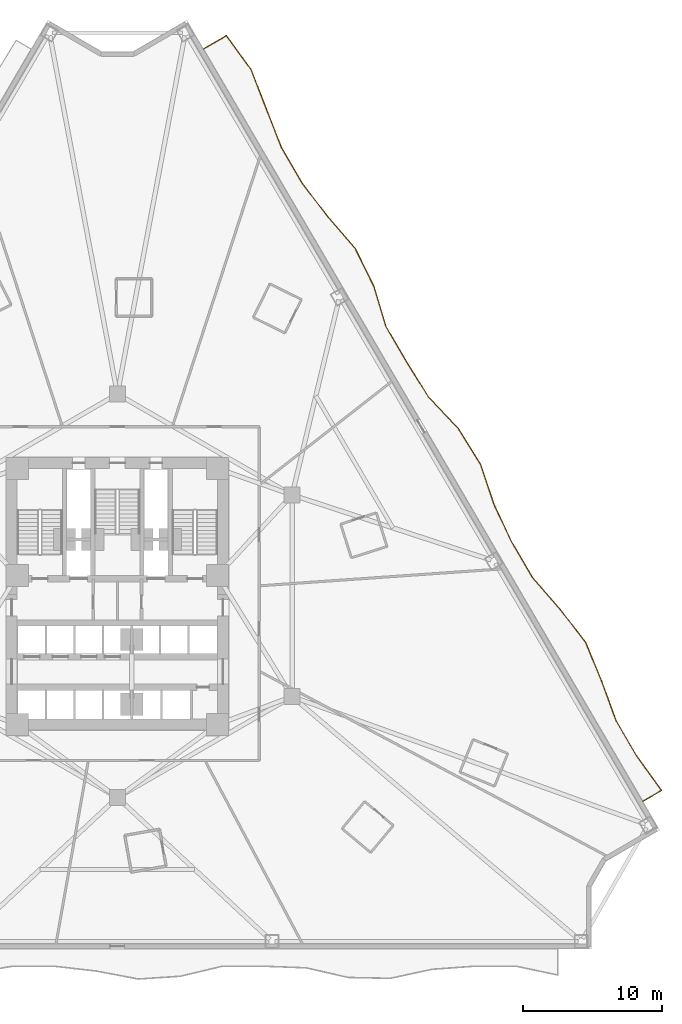
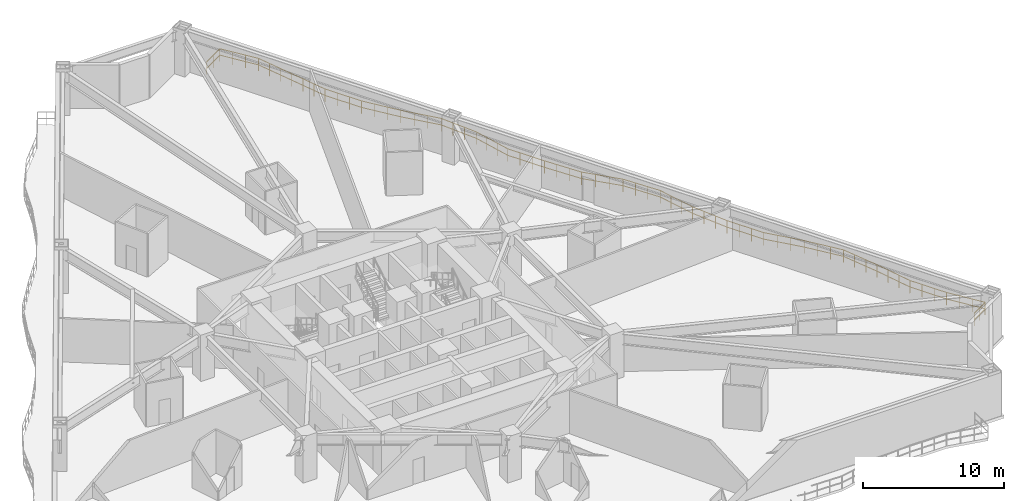
# One storey, part 12 of 12: 1 railing.
"""IFC4 building model written with IfcOpenShell, lengths in metres."""

from ifc_helpers import new_model, si_unit, direction, frame, origin, origin_2d, place, context, subcontext, project, spatial, rectangle, extrude, material, type_object, element, save


model = new_model("IFC4")

# Units and contexts
model_context = context("Model", 3, precision=1e-05, world=origin(), true_north=direction((0.0, 1.0)))
body_context = subcontext(model_context, "Body", "Model", "MODEL_VIEW")
ifc_project = project(units=[si_unit("LENGTHUNIT", "METRE"), si_unit("AREAUNIT", "SQUARE_METRE"), si_unit("VOLUMEUNIT", "CUBIC_METRE"), si_unit("PLANEANGLEUNIT", "RADIAN"), si_unit("MASSUNIT", "GRAM", prefix="KILO")], contexts=[model_context])

# Site, building, storey
site_placement = place(None, origin())
site = spatial("IfcSite", under=ifc_project, at=site_placement, CompositionType="ELEMENT")
building_placement = place(site_placement, origin())
building = spatial("IfcBuilding", under=site, at=building_placement, Name="Apsidion Concourse Tower", CompositionType="ELEMENT")
storey_placement = place(building_placement, frame((0.0, 0.0, 34.39990234375)))
storey = spatial("IfcBuildingStorey", under=building, at=storey_placement, Name="L06", CompositionType="ELEMENT", Elevation=34.39990234375)

# Railing
ifc_material = material(Name="Brushed stainless steel 316", Category="steel")
railing_type = type_object("IfcRailingType", Name="RL-BAL-1120", PredefinedType="BALUSTRADE", material=ifc_material)
railing_placement = place(storey_placement, frame((6.204833984375, 39.32275390625, 0.0)))
element("IfcRailing", 1, at=railing_placement, inside=storey, type_object=railing_type, Name="L06 Face 3 Rippling Balcony Balustrade", PredefinedType="BALUSTRADE", context=body_context, shape_type="SweptSolid", body=[
    extrude(rectangle(XDim=0.048095703125, YDim=0.048095703125, at=origin_2d()), frame((0.0, 0.0, 1.09619140625), z_axis=(0.863571651835, 0.504226141871, 0.0), x_axis=(-0.504226141871, 0.863571651835, 0.0)), (0.0, 0.0, 1.0), 1.880615234375),
    extrude(rectangle(XDim=0.048095703125, YDim=0.048095703125, at=origin_2d()), frame((0.0, 0.0, 0.5361328125), z_axis=(0.863571651835, 0.504226141871, 0.0), x_axis=(-0.504226141871, 0.863571651835, 0.0)), (0.0, 0.0, 1.0), 1.880615234375),
    extrude(rectangle(XDim=0.048095703125, YDim=0.048095703125, at=origin_2d()), frame((1.6240234375, 0.9482421875, 1.09619140625), z_axis=(0.591737638085, -0.806130614525, 0.0), x_axis=(0.806130614525, 0.591737638085, 0.0)), (0.0, 0.0, 1.0), 2.99951171875),
    extrude(rectangle(XDim=0.048095703125, YDim=0.048095703125, at=origin_2d()), frame((1.6240234375, 0.9482421875, 0.5361328125), z_axis=(0.591737638085, -0.806130614525, 0.0), x_axis=(0.806130614525, 0.591737638085, 0.0)), (0.0, 0.0, 1.0), 2.99951171875),
    extrude(rectangle(XDim=0.048095703125, YDim=0.048095703125, at=origin_2d()), frame((3.39892578125, -1.4697265625, 1.09619140625), z_axis=(0.362481370529, -0.931991017134, 0.0), x_axis=(0.931991017134, 0.362481370529, 0.0)), (0.0, 0.0, 1.0), 3.02001953125),
    extrude(rectangle(XDim=0.048095703125, YDim=0.048095703125, at=origin_2d()), frame((3.39892578125, -1.4697265625, 0.5361328125), z_axis=(0.362481370529, -0.931991017134, 0.0), x_axis=(0.931991017134, 0.362481370529, 0.0)), (0.0, 0.0, 1.0), 3.02001953125),
    extrude(rectangle(XDim=0.048095703125, YDim=0.048095703125, at=origin_2d()), frame((4.49365234375, -4.284423828125, 1.09619140625), z_axis=(0.36355788655, -0.931571609232, 0.0), x_axis=(0.931571609232, 0.36355788655, 0.0)), (0.0, 0.0, 1.0), 3.019775390625),
    extrude(rectangle(XDim=0.048095703125, YDim=0.048095703125, at=origin_2d()), frame((4.49365234375, -4.284423828125, 0.5361328125), z_axis=(0.36355788655, -0.931571609232, 0.0), x_axis=(0.931571609232, 0.36355788655, 0.0)), (0.0, 0.0, 1.0), 3.019775390625),
    extrude(rectangle(XDim=0.048095703125, YDim=0.048095703125, at=origin_2d()), frame((5.591552734375, -7.09765625, 1.09619140625), z_axis=(0.504191602526, -0.863591817899, 0.0), x_axis=(0.863591817899, 0.504191602526, 0.0)), (0.0, 0.0, 1.0), 2.98291015625),
    extrude(rectangle(XDim=0.048095703125, YDim=0.048095703125, at=origin_2d()), frame((5.591552734375, -7.09765625, 0.5361328125), z_axis=(0.504191602526, -0.863591817899, 0.0), x_axis=(0.863591817899, 0.504191602526, 0.0)), (0.0, 0.0, 1.0), 2.98291015625),
    extrude(rectangle(XDim=0.048095703125, YDim=0.048095703125, at=origin_2d()), frame((7.095458984375, -9.673583984375, 1.09619140625), z_axis=(0.606581462769, -0.795021338723, 0.0), x_axis=(0.795021338723, 0.606581462769, 0.0)), (0.0, 0.0, 1.0), 3.005859375),
    extrude(rectangle(XDim=0.048095703125, YDim=0.048095703125, at=origin_2d()), frame((7.095458984375, -9.673583984375, 0.5361328125), z_axis=(0.606581462769, -0.795021338723, 0.0), x_axis=(0.795021338723, 0.606581462769, 0.0)), (0.0, 0.0, 1.0), 3.005859375),
    extrude(rectangle(XDim=0.048095703125, YDim=0.048095703125, at=origin_2d()), frame((8.918701171875, -12.063232421875, 1.09619140625), z_axis=(0.65316088174, -0.757219164156, 0.0), x_axis=(0.757219164156, 0.65316088174, 0.0)), (0.0, 0.0, 1.0), 3.03369140625),
    extrude(rectangle(XDim=0.048095703125, YDim=0.048095703125, at=origin_2d()), frame((8.918701171875, -12.063232421875, 0.5361328125), z_axis=(0.65316088174, -0.757219164156, 0.0), x_axis=(0.757219164156, 0.65316088174, 0.0)), (0.0, 0.0, 1.0), 3.03369140625),
    extrude(rectangle(XDim=0.048095703125, YDim=0.048095703125, at=origin_2d()), frame((10.900146484375, -14.3603515625, 1.09619140625), z_axis=(0.442930222595, -0.896556087432, 0.0), x_axis=(0.896556087432, 0.442930222595, 0.0)), (0.0, 0.0, 1.0), 2.990234375),
    extrude(rectangle(XDim=0.048095703125, YDim=0.048095703125, at=origin_2d()), frame((10.900146484375, -14.3603515625, 0.5361328125), z_axis=(0.442930222595, -0.896556087432, 0.0), x_axis=(0.896556087432, 0.442930222595, 0.0)), (0.0, 0.0, 1.0), 2.990234375),
    extrude(rectangle(XDim=0.048095703125, YDim=0.048095703125, at=origin_2d()), frame((12.224609375, -17.041259765625, 1.09619140625), z_axis=(0.289165619967, -0.957279083773, 0.0), x_axis=(0.957279083773, 0.289165619967, 0.0)), (0.0, 0.0, 1.0), 3.0673828125),
    extrude(rectangle(XDim=0.048095703125, YDim=0.048095703125, at=origin_2d()), frame((12.224609375, -17.041259765625, 0.5361328125), z_axis=(0.289165619967, -0.957279083773, 0.0), x_axis=(0.957279083773, 0.289165619967, 0.0)), (0.0, 0.0, 1.0), 3.0673828125),
    extrude(rectangle(XDim=0.048095703125, YDim=0.048095703125, at=origin_2d()), frame((13.111572265625, -19.9775390625, 1.09619140625), z_axis=(0.504252641195, -0.863556178745, 0.0), x_axis=(0.863556178745, 0.504252641195, 0.0)), (0.0, 0.0, 1.0), 2.98291015625),
    extrude(rectangle(XDim=0.048095703125, YDim=0.048095703125, at=origin_2d()), frame((13.111572265625, -19.9775390625, 0.5361328125), z_axis=(0.504252641195, -0.863556178745, 0.0), x_axis=(0.863556178745, 0.504252641195, 0.0)), (0.0, 0.0, 1.0), 2.98291015625),
    extrude(rectangle(XDim=0.048095703125, YDim=0.048095703125, at=origin_2d()), frame((14.61572265625, -22.553466796875, 1.09619140625), z_axis=(0.531784505212, -0.846879708115, 0.0), x_axis=(0.846879708115, 0.531784505212, 0.0)), (0.0, 0.0, 1.0), 2.984619140625),
    extrude(rectangle(XDim=0.048095703125, YDim=0.048095703125, at=origin_2d()), frame((14.61572265625, -22.553466796875, 0.5361328125), z_axis=(0.531784505212, -0.846879708115, 0.0), x_axis=(0.846879708115, 0.531784505212, 0.0)), (0.0, 0.0, 1.0), 2.984619140625),
    extrude(rectangle(XDim=0.048095703125, YDim=0.048095703125, at=origin_2d()), frame((16.202880859375, -25.0810546875, 1.09619140625), z_axis=(0.686607145227, -0.727028629508, 0.0), x_axis=(0.727028629508, 0.686607145227, 0.0)), (0.0, 0.0, 1.0), 3.062255859375),
    extrude(rectangle(XDim=0.048095703125, YDim=0.048095703125, at=origin_2d()), frame((16.202880859375, -25.0810546875, 0.5361328125), z_axis=(0.686607145227, -0.727028629508, 0.0), x_axis=(0.727028629508, 0.686607145227, 0.0)), (0.0, 0.0, 1.0), 3.062255859375),
    extrude(rectangle(XDim=0.048095703125, YDim=0.048095703125, at=origin_2d()), frame((18.305419921875, -27.307373046875, 1.09619140625), z_axis=(0.531417409023, -0.847110109364, 0.0), x_axis=(0.847110109364, 0.531417409023, 0.0)), (0.0, 0.0, 1.0), 2.984375),
    extrude(rectangle(XDim=0.048095703125, YDim=0.048095703125, at=origin_2d()), frame((18.305419921875, -27.307373046875, 0.5361328125), z_axis=(0.531417409023, -0.847110109364, 0.0), x_axis=(0.847110109364, 0.531417409023, 0.0)), (0.0, 0.0, 1.0), 2.984375),
    extrude(rectangle(XDim=0.048095703125, YDim=0.048095703125, at=origin_2d()), frame((19.891357421875, -29.83544921875, 1.09619140625), z_axis=(0.318150443755, -0.948040239198, 0.0), x_axis=(0.948040239198, 0.318150443755, 0.0)), (0.0, 0.0, 1.0), 3.04638671875),
    extrude(rectangle(XDim=0.048095703125, YDim=0.048095703125, at=origin_2d()), frame((19.891357421875, -29.83544921875, 0.5361328125), z_axis=(0.318150443755, -0.948040239198, 0.0), x_axis=(0.948040239198, 0.318150443755, 0.0)), (0.0, 0.0, 1.0), 3.04638671875),
    extrude(rectangle(XDim=0.048095703125, YDim=0.048095703125, at=origin_2d()), frame((20.860595703125, -32.7236328125, 1.09619140625), z_axis=(0.425793110303, -0.904820549733, 0.0), x_axis=(0.904820549733, 0.425793110303, 0.0)), (0.0, 0.0, 1.0), 2.994873046875),
    extrude(rectangle(XDim=0.048095703125, YDim=0.048095703125, at=origin_2d()), frame((20.860595703125, -32.7236328125, 0.5361328125), z_axis=(0.425793110303, -0.904820549733, 0.0), x_axis=(0.904820549733, 0.425793110303, 0.0)), (0.0, 0.0, 1.0), 2.994873046875),
    extrude(rectangle(XDim=0.048095703125, YDim=0.048095703125, at=origin_2d()), frame((22.1357421875, -35.433349609375, 1.09619140625), z_axis=(0.504155966148, -0.863612622532, 0.0), x_axis=(0.863612622532, 0.504155966148, 0.0)), (0.0, 0.0, 1.0), 2.98291015625),
    extrude(rectangle(XDim=0.048095703125, YDim=0.048095703125, at=origin_2d()), frame((22.1357421875, -35.433349609375, 0.5361328125), z_axis=(0.504155966148, -0.863612622532, 0.0), x_axis=(0.863612622532, 0.504155966148, 0.0)), (0.0, 0.0, 1.0), 2.98291015625),
    extrude(rectangle(XDim=0.048095703125, YDim=0.048095703125, at=origin_2d()), frame((23.6396484375, -38.009521484375, 1.09619140625), z_axis=(0.657091861977, -0.753810509959, 0.0), x_axis=(0.753810509959, 0.657091861977, 0.0)), (0.0, 0.0, 1.0), 3.03662109375),
    extrude(rectangle(XDim=0.048095703125, YDim=0.048095703125, at=origin_2d()), frame((23.6396484375, -38.009521484375, 0.5361328125), z_axis=(0.657091861977, -0.753810509959, 0.0), x_axis=(0.753810509959, 0.657091861977, 0.0)), (0.0, 0.0, 1.0), 3.03662109375),
    extrude(rectangle(XDim=0.048095703125, YDim=0.048095703125, at=origin_2d()), frame((25.635009765625, -40.298583984375, 1.09619140625), z_axis=(0.609569499841, -0.792732631386, 0.0), x_axis=(0.792732631386, 0.609569499841, 0.0)), (0.0, 0.0, 1.0), 3.007080078125),
    extrude(rectangle(XDim=0.048095703125, YDim=0.048095703125, at=origin_2d()), frame((25.635009765625, -40.298583984375, 0.5361328125), z_axis=(0.609569499841, -0.792732631386, 0.0), x_axis=(0.792732631386, 0.609569499841, 0.0)), (0.0, 0.0, 1.0), 3.007080078125),
    extrude(rectangle(XDim=0.048095703125, YDim=0.048095703125, at=origin_2d()), frame((27.468017578125, -42.682373046875, 1.09619140625), z_axis=(0.380945514775, -0.924597487977, 0.0), x_axis=(0.924597487977, 0.380945514775, 0.0)), (0.0, 0.0, 1.0), 3.011474609375),
    extrude(rectangle(XDim=0.048095703125, YDim=0.048095703125, at=origin_2d()), frame((27.468017578125, -42.682373046875, 0.5361328125), z_axis=(0.380945514775, -0.924597487977, 0.0), x_axis=(0.924597487977, 0.380945514775, 0.0)), (0.0, 0.0, 1.0), 3.011474609375),
    extrude(rectangle(XDim=0.048095703125, YDim=0.048095703125, at=origin_2d()), frame((28.615234375, -45.466796875, 1.09619140625), z_axis=(0.343333720039, -0.939213477695, 0.0), x_axis=(0.939213477695, 0.343333720039, 0.0)), (0.0, 0.0, 1.0), 3.03076171875),
    extrude(rectangle(XDim=0.048095703125, YDim=0.048095703125, at=origin_2d()), frame((28.615234375, -45.466796875, 0.5361328125), z_axis=(0.343333720039, -0.939213477695, 0.0), x_axis=(0.939213477695, 0.343333720039, 0.0)), (0.0, 0.0, 1.0), 3.03076171875),
    extrude(rectangle(XDim=0.048095703125, YDim=0.048095703125, at=origin_2d()), frame((29.65576171875, -48.313232421875, 1.09619140625), z_axis=(0.504217003444, -0.863576987557, 0.0), x_axis=(0.863576987557, 0.504217003444, 0.0)), (0.0, 0.0, 1.0), 2.983154296875),
    extrude(rectangle(XDim=0.048095703125, YDim=0.048095703125, at=origin_2d()), frame((29.65576171875, -48.313232421875, 0.5361328125), z_axis=(0.504217003444, -0.863576987557, 0.0), x_axis=(0.863576987557, 0.504217003444, 0.0)), (0.0, 0.0, 1.0), 2.983154296875),
    extrude(rectangle(XDim=0.048095703125, YDim=0.048095703125, at=origin_2d()), frame((31.159912109375, -50.889404296875, 1.09619140625), z_axis=(0.588089372637, -0.808795950652, 0.0), x_axis=(0.808795950652, 0.588089372637, 0.0)), (0.0, 0.0, 1.0), 2.997802734375),
    extrude(rectangle(XDim=0.048095703125, YDim=0.048095703125, at=origin_2d()), frame((31.159912109375, -50.889404296875, 0.5361328125), z_axis=(0.588089372637, -0.808795950652, 0.0), x_axis=(0.808795950652, 0.588089372637, 0.0)), (0.0, 0.0, 1.0), 2.997802734375),
    extrude(rectangle(XDim=0.048095703125, YDim=0.048095703125, at=origin_2d()), frame((32.9228515625, -53.31396484375, 1.09619140625), z_axis=(-0.86356171129, -0.504243166333, 0.0), x_axis=(0.504243166333, -0.86356171129, 0.0)), (0.0, 0.0, 1.0), 1.5498046875),
    extrude(rectangle(XDim=0.048095703125, YDim=0.048095703125, at=origin_2d()), frame((32.9228515625, -53.31396484375, 0.5361328125), z_axis=(-0.86356171129, -0.504243166333, 0.0), x_axis=(0.504243166333, -0.86356171129, 0.0)), (0.0, 0.0, 1.0), 1.5498046875),
    extrude(rectangle(XDim=0.0419921875, YDim=0.0419921875, at=origin_2d()), origin(), (0.0, 0.0, 1.0), 1.072021484375),
    extrude(rectangle(XDim=0.0419921875, YDim=0.0419921875, at=origin_2d()), frame((0.81201171875, 0.47412109375, 0.0)), (0.0, 0.0, 1.0), 1.072021484375),
    extrude(rectangle(XDim=0.0419921875, YDim=0.0419921875, at=origin_2d()), frame((1.6240234375, 0.9482421875, 0.0)), (0.0, 0.0, 1.0), 1.072021484375),
    extrude(rectangle(XDim=0.0419921875, YDim=0.0419921875, at=origin_2d()), frame((2.215576171875, 0.142333984375, 0.0)), (0.0, 0.0, 1.0), 1.072021484375),
    extrude(rectangle(XDim=0.0419921875, YDim=0.0419921875, at=origin_2d()), frame((2.807373046875, -0.663818359375, 0.0)), (0.0, 0.0, 1.0), 1.072021484375),
    extrude(rectangle(XDim=0.0419921875, YDim=0.0419921875, at=origin_2d()), frame((3.39892578125, -1.4697265625, 0.0)), (0.0, 0.0, 1.0), 1.072021484375),
    extrude(rectangle(XDim=0.0419921875, YDim=0.0419921875, at=origin_2d()), frame((3.763916015625, -2.407958984375, 0.0)), (0.0, 0.0, 1.0), 1.072021484375),
    extrude(rectangle(XDim=0.0419921875, YDim=0.0419921875, at=origin_2d()), frame((4.128662109375, -3.34619140625, 0.0)), (0.0, 0.0, 1.0), 1.072021484375),
    extrude(rectangle(XDim=0.0419921875, YDim=0.0419921875, at=origin_2d()), frame((4.49365234375, -4.284423828125, 0.0)), (0.0, 0.0, 1.0), 1.072021484375),
    extrude(rectangle(XDim=0.0419921875, YDim=0.0419921875, at=origin_2d()), frame((4.859619140625, -5.22216796875, 0.0)), (0.0, 0.0, 1.0), 1.072021484375),
    extrude(rectangle(XDim=0.0419921875, YDim=0.0419921875, at=origin_2d()), frame((5.2255859375, -6.159912109375, 0.0)), (0.0, 0.0, 1.0), 1.072021484375),
    extrude(rectangle(XDim=0.0419921875, YDim=0.0419921875, at=origin_2d()), frame((5.591552734375, -7.09765625, 0.0)), (0.0, 0.0, 1.0), 1.072021484375),
    extrude(rectangle(XDim=0.0419921875, YDim=0.0419921875, at=origin_2d()), frame((6.0927734375, -7.956298828125, 0.0)), (0.0, 0.0, 1.0), 1.072021484375),
    extrude(rectangle(XDim=0.0419921875, YDim=0.0419921875, at=origin_2d()), frame((6.59423828125, -8.81494140625, 0.0)), (0.0, 0.0, 1.0), 1.072021484375),
    extrude(rectangle(XDim=0.0419921875, YDim=0.0419921875, at=origin_2d()), frame((7.095458984375, -9.673583984375, 0.0)), (0.0, 0.0, 1.0), 1.072021484375),
    extrude(rectangle(XDim=0.0419921875, YDim=0.0419921875, at=origin_2d()), frame((7.703125, -10.47021484375, 0.0)), (0.0, 0.0, 1.0), 1.072021484375),
    extrude(rectangle(XDim=0.0419921875, YDim=0.0419921875, at=origin_2d()), frame((8.31103515625, -11.2666015625, 0.0)), (0.0, 0.0, 1.0), 1.072021484375),
    extrude(rectangle(XDim=0.0419921875, YDim=0.0419921875, at=origin_2d()), frame((8.918701171875, -12.063232421875, 0.0)), (0.0, 0.0, 1.0), 1.072021484375),
    extrude(rectangle(XDim=0.0419921875, YDim=0.0419921875, at=origin_2d()), frame((9.5791015625, -12.828857421875, 0.0)), (0.0, 0.0, 1.0), 1.072021484375),
    extrude(rectangle(XDim=0.0419921875, YDim=0.0419921875, at=origin_2d()), frame((10.23974609375, -13.5947265625, 0.0)), (0.0, 0.0, 1.0), 1.072021484375),
    extrude(rectangle(XDim=0.0419921875, YDim=0.0419921875, at=origin_2d()), frame((10.900146484375, -14.3603515625, 0.0)), (0.0, 0.0, 1.0), 1.072021484375),
    extrude(rectangle(XDim=0.0419921875, YDim=0.0419921875, at=origin_2d()), frame((11.341552734375, -15.25390625, 0.0)), (0.0, 0.0, 1.0), 1.072021484375),
    extrude(rectangle(XDim=0.0419921875, YDim=0.0419921875, at=origin_2d()), frame((11.783203125, -16.147705078125, 0.0)), (0.0, 0.0, 1.0), 1.072021484375),
    extrude(rectangle(XDim=0.0419921875, YDim=0.0419921875, at=origin_2d()), frame((12.224609375, -17.041259765625, 0.0)), (0.0, 0.0, 1.0), 1.072021484375),
    extrude(rectangle(XDim=0.0419921875, YDim=0.0419921875, at=origin_2d()), frame((12.520263671875, -18.02001953125, 0.0)), (0.0, 0.0, 1.0), 1.072021484375),
    extrude(rectangle(XDim=0.0419921875, YDim=0.0419921875, at=origin_2d()), frame((12.81591796875, -18.998779296875, 0.0)), (0.0, 0.0, 1.0), 1.072021484375),
    extrude(rectangle(XDim=0.0419921875, YDim=0.0419921875, at=origin_2d()), frame((13.111572265625, -19.9775390625, 0.0)), (0.0, 0.0, 1.0), 1.072021484375),
    extrude(rectangle(XDim=0.0419921875, YDim=0.0419921875, at=origin_2d()), frame((13.613037109375, -20.836181640625, 0.0)), (0.0, 0.0, 1.0), 1.072021484375),
    extrude(rectangle(XDim=0.0419921875, YDim=0.0419921875, at=origin_2d()), frame((14.1142578125, -21.69482421875, 0.0)), (0.0, 0.0, 1.0), 1.072021484375),
    extrude(rectangle(XDim=0.0419921875, YDim=0.0419921875, at=origin_2d()), frame((14.61572265625, -22.553466796875, 0.0)), (0.0, 0.0, 1.0), 1.072021484375),
    extrude(rectangle(XDim=0.0419921875, YDim=0.0419921875, at=origin_2d()), frame((15.144775390625, -23.39599609375, 0.0)), (0.0, 0.0, 1.0), 1.072021484375),
    extrude(rectangle(XDim=0.0419921875, YDim=0.0419921875, at=origin_2d()), frame((15.673828125, -24.238525390625, 0.0)), (0.0, 0.0, 1.0), 1.072021484375),
    extrude(rectangle(XDim=0.0419921875, YDim=0.0419921875, at=origin_2d()), frame((16.202880859375, -25.0810546875, 0.0)), (0.0, 0.0, 1.0), 1.072021484375),
    extrude(rectangle(XDim=0.0419921875, YDim=0.0419921875, at=origin_2d()), frame((16.90380859375, -25.8232421875, 0.0)), (0.0, 0.0, 1.0), 1.072021484375),
    extrude(rectangle(XDim=0.0419921875, YDim=0.0419921875, at=origin_2d()), frame((17.6044921875, -26.565185546875, 0.0)), (0.0, 0.0, 1.0), 1.072021484375),
    extrude(rectangle(XDim=0.0419921875, YDim=0.0419921875, at=origin_2d()), frame((18.305419921875, -27.307373046875, 0.0)), (0.0, 0.0, 1.0), 1.072021484375),
    extrude(rectangle(XDim=0.0419921875, YDim=0.0419921875, at=origin_2d()), frame((18.833984375, -28.150146484375, 0.0)), (0.0, 0.0, 1.0), 1.072021484375),
    extrude(rectangle(XDim=0.0419921875, YDim=0.0419921875, at=origin_2d()), frame((19.36279296875, -28.99267578125, 0.0)), (0.0, 0.0, 1.0), 1.072021484375),
    extrude(rectangle(XDim=0.0419921875, YDim=0.0419921875, at=origin_2d()), frame((19.891357421875, -29.83544921875, 0.0)), (0.0, 0.0, 1.0), 1.072021484375),
    extrude(rectangle(XDim=0.0419921875, YDim=0.0419921875, at=origin_2d()), frame((20.21435546875, -30.798095703125, 0.0)), (0.0, 0.0, 1.0), 1.072021484375),
    extrude(rectangle(XDim=0.0419921875, YDim=0.0419921875, at=origin_2d()), frame((20.53759765625, -31.760986328125, 0.0)), (0.0, 0.0, 1.0), 1.072021484375),
    extrude(rectangle(XDim=0.0419921875, YDim=0.0419921875, at=origin_2d()), frame((20.860595703125, -32.7236328125, 0.0)), (0.0, 0.0, 1.0), 1.072021484375),
    extrude(rectangle(XDim=0.0419921875, YDim=0.0419921875, at=origin_2d()), frame((21.28564453125, -33.626953125, 0.0)), (0.0, 0.0, 1.0), 1.072021484375),
    extrude(rectangle(XDim=0.0419921875, YDim=0.0419921875, at=origin_2d()), frame((21.710693359375, -34.530029296875, 0.0)), (0.0, 0.0, 1.0), 1.072021484375),
    extrude(rectangle(XDim=0.0419921875, YDim=0.0419921875, at=origin_2d()), frame((22.1357421875, -35.433349609375, 0.0)), (0.0, 0.0, 1.0), 1.072021484375),
    extrude(rectangle(XDim=0.0419921875, YDim=0.0419921875, at=origin_2d()), frame((22.636962890625, -36.2919921875, 0.0)), (0.0, 0.0, 1.0), 1.072021484375),
    extrude(rectangle(XDim=0.0419921875, YDim=0.0419921875, at=origin_2d()), frame((23.138427734375, -37.15087890625, 0.0)), (0.0, 0.0, 1.0), 1.072021484375),
    extrude(rectangle(XDim=0.0419921875, YDim=0.0419921875, at=origin_2d()), frame((23.6396484375, -38.009521484375, 0.0)), (0.0, 0.0, 1.0), 1.072021484375),
    extrude(rectangle(XDim=0.0419921875, YDim=0.0419921875, at=origin_2d()), frame((24.3046875, -38.7724609375, 0.0)), (0.0, 0.0, 1.0), 1.072021484375),
    extrude(rectangle(XDim=0.0419921875, YDim=0.0419921875, at=origin_2d()), frame((24.969970703125, -39.53564453125, 0.0)), (0.0, 0.0, 1.0), 1.072021484375),
    extrude(rectangle(XDim=0.0419921875, YDim=0.0419921875, at=origin_2d()), frame((25.635009765625, -40.298583984375, 0.0)), (0.0, 0.0, 1.0), 1.072021484375),
    extrude(rectangle(XDim=0.0419921875, YDim=0.0419921875, at=origin_2d()), frame((26.24609375, -41.09326171875, 0.0)), (0.0, 0.0, 1.0), 1.072021484375),
    extrude(rectangle(XDim=0.0419921875, YDim=0.0419921875, at=origin_2d()), frame((26.85693359375, -41.8876953125, 0.0)), (0.0, 0.0, 1.0), 1.072021484375),
    extrude(rectangle(XDim=0.0419921875, YDim=0.0419921875, at=origin_2d()), frame((27.468017578125, -42.682373046875, 0.0)), (0.0, 0.0, 1.0), 1.072021484375),
    extrude(rectangle(XDim=0.0419921875, YDim=0.0419921875, at=origin_2d()), frame((27.850341796875, -43.610595703125, 0.0)), (0.0, 0.0, 1.0), 1.072021484375),
    extrude(rectangle(XDim=0.0419921875, YDim=0.0419921875, at=origin_2d()), frame((28.23291015625, -44.53857421875, 0.0)), (0.0, 0.0, 1.0), 1.072021484375),
    extrude(rectangle(XDim=0.0419921875, YDim=0.0419921875, at=origin_2d()), frame((28.615234375, -45.466796875, 0.0)), (0.0, 0.0, 1.0), 1.072021484375),
    extrude(rectangle(XDim=0.0419921875, YDim=0.0419921875, at=origin_2d()), frame((28.962158203125, -46.41552734375, 0.0)), (0.0, 0.0, 1.0), 1.072021484375),
    extrude(rectangle(XDim=0.0419921875, YDim=0.0419921875, at=origin_2d()), frame((29.308837890625, -47.364501953125, 0.0)), (0.0, 0.0, 1.0), 1.072021484375),
    extrude(rectangle(XDim=0.0419921875, YDim=0.0419921875, at=origin_2d()), frame((29.65576171875, -48.313232421875, 0.0)), (0.0, 0.0, 1.0), 1.072021484375),
    extrude(rectangle(XDim=0.0419921875, YDim=0.0419921875, at=origin_2d()), frame((30.1572265625, -49.171875, 0.0)), (0.0, 0.0, 1.0), 1.072021484375),
    extrude(rectangle(XDim=0.0419921875, YDim=0.0419921875, at=origin_2d()), frame((30.658447265625, -50.03076171875, 0.0)), (0.0, 0.0, 1.0), 1.072021484375),
    extrude(rectangle(XDim=0.0419921875, YDim=0.0419921875, at=origin_2d()), frame((31.159912109375, -50.889404296875, 0.0)), (0.0, 0.0, 1.0), 1.072021484375),
    extrude(rectangle(XDim=0.0419921875, YDim=0.0419921875, at=origin_2d()), frame((31.74755859375, -51.697509765625, 0.0)), (0.0, 0.0, 1.0), 1.072021484375),
    extrude(rectangle(XDim=0.0419921875, YDim=0.0419921875, at=origin_2d()), frame((32.335205078125, -52.505859375, 0.0)), (0.0, 0.0, 1.0), 1.072021484375),
    extrude(rectangle(XDim=0.0419921875, YDim=0.0419921875, at=origin_2d()), frame((32.9228515625, -53.31396484375, 0.0)), (0.0, 0.0, 1.0), 1.072021484375),
    extrude(rectangle(XDim=0.0419921875, YDim=0.0419921875, at=origin_2d()), frame((32.253662109375, -53.70458984375, 0.0)), (0.0, 0.0, 1.0), 1.072021484375),
    extrude(rectangle(XDim=0.0419921875, YDim=0.0419921875, at=origin_2d()), frame((31.58447265625, -54.095458984375, 0.0)), (0.0, 0.0, 1.0), 1.072021484375),
])

save(model, "model.ifc")
